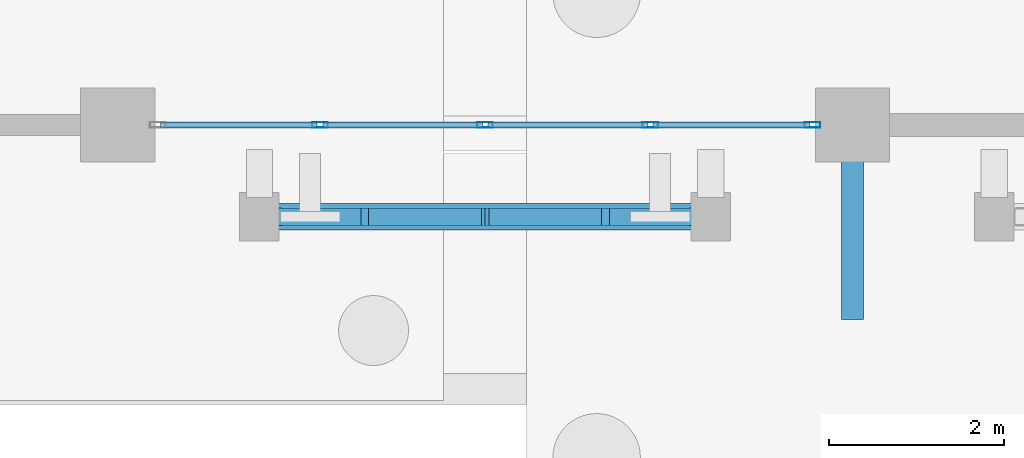
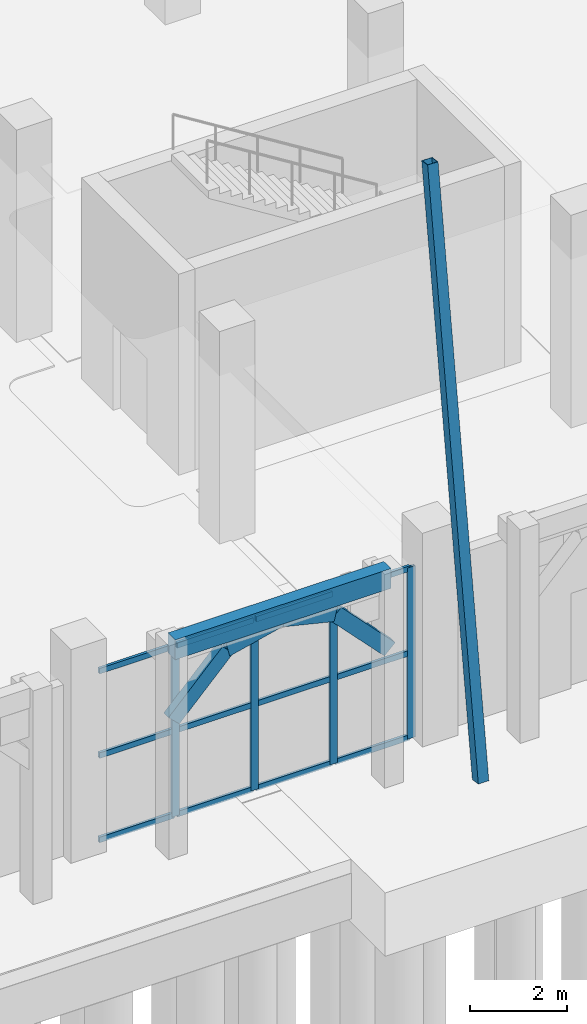
# One storey, part 13 of 98: 21 members, 1 beam, 1 element without a shape of its own.
"""IFC4 building model written with IfcOpenShell, lengths in metres."""

from ifc_helpers import new_model, si_unit, direction, frame, origin, origin_2d, place, context, subcontext, project, spatial, rectangle, hollow_rectangle, extrude, material, layer, layer_set, material_profile, profile_set, type_object, element, aggregate, save


model = new_model("IFC4")

# Units and contexts
model_context = context("Model", 3, precision=1e-05, world=origin(), true_north=direction((0.0, 1.0)))
body_context = subcontext(model_context, "Body", "Model", "MODEL_VIEW")
ifc_project = project(units=[si_unit("LENGTHUNIT", "METRE"), si_unit("AREAUNIT", "SQUARE_METRE"), si_unit("VOLUMEUNIT", "CUBIC_METRE"), si_unit("PLANEANGLEUNIT", "RADIAN"), si_unit("MASSUNIT", "GRAM", prefix="KILO")], contexts=[model_context])

# Site, building, storey
site_placement = place(None, origin())
site = spatial("IfcSite", under=ifc_project, at=site_placement, CompositionType="ELEMENT")
building_placement = place(site_placement, origin())
building = spatial("IfcBuilding", under=site, at=building_placement, Name="Xazarin Passage Department Store", CompositionType="ELEMENT")
storey_placement = place(building_placement, origin())
storey = spatial("IfcBuildingStorey", under=building, at=storey_placement, Name="L00", CompositionType="ELEMENT", Elevation=0.0)

# Curtain wall, members
ifc_material_1 = material(Name="Bronze anodised aluminium", Category="aluminium")
ifc_layer = layer(ifc_material_1, 0.18994140625)
ifc_layer_set = layer_set([ifc_layer], Name="Bronze anodised aluminium")
curtain_wall_type = type_object("IfcCurtainWallType", Name="ARC-CW-FDH1", PredefinedType="NOTDEFINED", material=ifc_layer_set)
curtain_wall_placement = place(storey_placement, origin())
curtain_wall = element("IfcCurtainWall", 1, at=curtain_wall_placement, inside=storey, type_object=curtain_wall_type, Name="L00 V3 Curtain Wall 118", PredefinedType="NOTDEFINED")
ifc_material_profile_1 = material_profile(ifc_material_1, hollow_rectangle(XDim=0.06494140625, YDim=0.179931640625, WallThickness=0.00390625, at=origin_2d()), Name="ALU 65x180")
ifc_profile_set_1 = profile_set([ifc_material_profile_1], Name="Bronze anodised aluminium")
member_type_1 = type_object("IfcMemberType", Name="ARC-CWM-65x180", PredefinedType="MULLION", material=ifc_profile_set_1)
member_1_placement = place(storey_placement, frame((19.112548828125, 0.0, 0.0), z_axis=(0.0, 0.0, 1.0), x_axis=(0.0, 1.0, 0.0)))
member_1 = element("IfcMember", 2, at=member_1_placement, type_object=member_type_1, Name="CW5 mullion 2", PredefinedType="MULLION", context=body_context, shape_type="SweptSolid", body=[
    extrude(hollow_rectangle(XDim=0.06494140625, YDim=0.179931640625, WallThickness=0.00390625, at=origin_2d()), origin(), (0.0, 0.0, 1.0), 4.330078125),
])
member_2_placement = place(storey_placement, frame((21.0, 0.0, 0.0), z_axis=(0.0, 0.0, 1.0), x_axis=(0.0, 1.0, 0.0)))
member_2 = element("IfcMember", 3, at=member_2_placement, type_object=member_type_1, Name="CW5 mullion 3", PredefinedType="MULLION", context=body_context, shape_type="SweptSolid", body=[
    extrude(hollow_rectangle(XDim=0.06494140625, YDim=0.179931640625, WallThickness=0.00390625, at=origin_2d()), origin(), (0.0, 0.0, 1.0), 4.330078125),
])
member_3_placement = place(storey_placement, frame((22.887451171875, 0.0, 0.0), z_axis=(0.0, 0.0, 1.0), x_axis=(0.0, 1.0, 0.0)))
member_3 = element("IfcMember", 4, at=member_3_placement, type_object=member_type_1, Name="CW5 mullion 4", PredefinedType="MULLION", context=body_context, shape_type="SweptSolid", body=[
    extrude(hollow_rectangle(XDim=0.06494140625, YDim=0.179931640625, WallThickness=0.00390625, at=origin_2d()), origin(), (0.0, 0.0, 1.0), 4.330078125),
])
member_4_placement = place(storey_placement, frame((24.742431640625, 0.0, 0.0), z_axis=(0.0, 0.0, 1.0), x_axis=(0.0, 1.0, 0.0)))
member_4 = element("IfcMember", 5, at=member_4_placement, type_object=member_type_1, Name="CW5 mullion 5", PredefinedType="MULLION", context=body_context, shape_type="SweptSolid", body=[
    extrude(hollow_rectangle(XDim=0.06494140625, YDim=0.179931640625, WallThickness=0.00390625, at=origin_2d()), origin(), (0.0, 0.0, 1.0), 4.330078125),
])
ifc_material_profile_2 = material_profile(ifc_material_1, hollow_rectangle(XDim=0.06494140625, YDim=0.139892578125, WallThickness=0.00390625, at=origin_2d()), Name="ALU 65x140")
ifc_profile_set_2 = profile_set([ifc_material_profile_2], Name="Bronze anodised aluminium")
member_type_2 = type_object("IfcMemberType", Name="ARC-CWT-65x140", PredefinedType="USERDEFINED", material=ifc_profile_set_2)
member_5_placement = place(storey_placement, frame((17.2900390625, 0.0, 0.032470703125), z_axis=(1.0, 0.0, 0.0), x_axis=(0.0, 1.0, 0.0)))
member_5 = element("IfcMember", 6, at=member_5_placement, type_object=member_type_2, Name="CW5 transom 1.1", ObjectType="TRANSOM", PredefinedType="USERDEFINED", context=body_context, shape_type="SweptSolid", body=[
    extrude(hollow_rectangle(XDim=0.06494140625, YDim=0.139892578125, WallThickness=0.00390625, at=origin_2d()), origin(), (0.0, 0.0, 1.0), 1.7900390625),
])
member_6_placement = place(storey_placement, frame((17.2900390625, 0.0, 2.1650390625), z_axis=(1.0, 0.0, 0.0), x_axis=(0.0, 1.0, 0.0)))
member_6 = element("IfcMember", 7, at=member_6_placement, type_object=member_type_2, Name="CW5 transom 1.2", ObjectType="TRANSOM", PredefinedType="USERDEFINED", context=body_context, shape_type="SweptSolid", body=[
    extrude(hollow_rectangle(XDim=0.06494140625, YDim=0.139892578125, WallThickness=0.00390625, at=origin_2d()), origin(), (0.0, 0.0, 1.0), 1.7900390625),
])
member_7_placement = place(storey_placement, frame((17.2900390625, 0.0, 4.297607421875), z_axis=(1.0, 0.0, 0.0), x_axis=(0.0, 1.0, 0.0)))
member_7 = element("IfcMember", 8, at=member_7_placement, type_object=member_type_2, Name="CW5 transom 1.3", ObjectType="TRANSOM", PredefinedType="USERDEFINED", context=body_context, shape_type="SweptSolid", body=[
    extrude(hollow_rectangle(XDim=0.06494140625, YDim=0.139892578125, WallThickness=0.00390625, at=origin_2d()), origin(), (0.0, 0.0, 1.0), 1.7900390625),
])
member_8_placement = place(storey_placement, frame((19.14501953125, 0.0, 0.032470703125), z_axis=(1.0, 0.0, 0.0), x_axis=(0.0, 1.0, 0.0)))
member_8 = element("IfcMember", 9, at=member_8_placement, type_object=member_type_2, Name="CW5 transom 2.1", ObjectType="TRANSOM", PredefinedType="USERDEFINED", context=body_context, shape_type="SweptSolid", body=[
    extrude(hollow_rectangle(XDim=0.06494140625, YDim=0.139892578125, WallThickness=0.00390625, at=origin_2d()), origin(), (0.0, 0.0, 1.0), 1.822509765625),
])
member_9_placement = place(storey_placement, frame((19.14501953125, 0.0, 2.1650390625), z_axis=(1.0, 0.0, 0.0), x_axis=(0.0, 1.0, 0.0)))
member_9 = element("IfcMember", 10, at=member_9_placement, type_object=member_type_2, Name="CW5 transom 2.2", ObjectType="TRANSOM", PredefinedType="USERDEFINED", context=body_context, shape_type="SweptSolid", body=[
    extrude(hollow_rectangle(XDim=0.06494140625, YDim=0.139892578125, WallThickness=0.00390625, at=origin_2d()), origin(), (0.0, 0.0, 1.0), 1.822509765625),
])
member_10_placement = place(storey_placement, frame((19.14501953125, 0.0, 4.297607421875), z_axis=(1.0, 0.0, 0.0), x_axis=(0.0, 1.0, 0.0)))
member_10 = element("IfcMember", 11, at=member_10_placement, type_object=member_type_2, Name="CW5 transom 2.3", ObjectType="TRANSOM", PredefinedType="USERDEFINED", context=body_context, shape_type="SweptSolid", body=[
    extrude(hollow_rectangle(XDim=0.06494140625, YDim=0.139892578125, WallThickness=0.00390625, at=origin_2d()), origin(), (0.0, 0.0, 1.0), 1.822509765625),
])
member_11_placement = place(storey_placement, frame((21.032470703125, 0.0, 0.032470703125), z_axis=(1.0, 0.0, 0.0), x_axis=(0.0, 1.0, 0.0)))
member_11 = element("IfcMember", 12, at=member_11_placement, type_object=member_type_2, Name="CW5 transom 3.1", ObjectType="TRANSOM", PredefinedType="USERDEFINED", context=body_context, shape_type="SweptSolid", body=[
    extrude(hollow_rectangle(XDim=0.06494140625, YDim=0.139892578125, WallThickness=0.00390625, at=origin_2d()), origin(), (0.0, 0.0, 1.0), 1.822509765625),
])
member_12_placement = place(storey_placement, frame((21.032470703125, 0.0, 2.1650390625), z_axis=(1.0, 0.0, 0.0), x_axis=(0.0, 1.0, 0.0)))
member_12 = element("IfcMember", 13, at=member_12_placement, type_object=member_type_2, Name="CW5 transom 3.2", ObjectType="TRANSOM", PredefinedType="USERDEFINED", context=body_context, shape_type="SweptSolid", body=[
    extrude(hollow_rectangle(XDim=0.06494140625, YDim=0.139892578125, WallThickness=0.00390625, at=origin_2d()), origin(), (0.0, 0.0, 1.0), 1.822509765625),
])
member_13_placement = place(storey_placement, frame((21.032470703125, 0.0, 4.297607421875), z_axis=(1.0, 0.0, 0.0), x_axis=(0.0, 1.0, 0.0)))
member_13 = element("IfcMember", 14, at=member_13_placement, type_object=member_type_2, Name="CW5 transom 3.3", ObjectType="TRANSOM", PredefinedType="USERDEFINED", context=body_context, shape_type="SweptSolid", body=[
    extrude(hollow_rectangle(XDim=0.06494140625, YDim=0.139892578125, WallThickness=0.00390625, at=origin_2d()), origin(), (0.0, 0.0, 1.0), 1.822509765625),
])
member_14_placement = place(storey_placement, frame((22.919921875, 0.0, 0.032470703125), z_axis=(1.0, 0.0, 0.0), x_axis=(0.0, 1.0, 0.0)))
member_14 = element("IfcMember", 15, at=member_14_placement, type_object=member_type_2, Name="CW5 transom 4.1", ObjectType="TRANSOM", PredefinedType="USERDEFINED", context=body_context, shape_type="SweptSolid", body=[
    extrude(hollow_rectangle(XDim=0.06494140625, YDim=0.139892578125, WallThickness=0.00390625, at=origin_2d()), origin(), (0.0, 0.0, 1.0), 1.7900390625),
])
member_15_placement = place(storey_placement, frame((22.919921875, 0.0, 2.1650390625), z_axis=(1.0, 0.0, 0.0), x_axis=(0.0, 1.0, 0.0)))
member_15 = element("IfcMember", 16, at=member_15_placement, type_object=member_type_2, Name="CW5 transom 4.2", ObjectType="TRANSOM", PredefinedType="USERDEFINED", context=body_context, shape_type="SweptSolid", body=[
    extrude(hollow_rectangle(XDim=0.06494140625, YDim=0.139892578125, WallThickness=0.00390625, at=origin_2d()), origin(), (0.0, 0.0, 1.0), 1.7900390625),
])
member_16_placement = place(storey_placement, frame((22.919921875, 0.0, 4.297607421875), z_axis=(1.0, 0.0, 0.0), x_axis=(0.0, 1.0, 0.0)))
member_16 = element("IfcMember", 17, at=member_16_placement, type_object=member_type_2, Name="CW5 transom 4.3", ObjectType="TRANSOM", PredefinedType="USERDEFINED", context=body_context, shape_type="SweptSolid", body=[
    extrude(hollow_rectangle(XDim=0.06494140625, YDim=0.139892578125, WallThickness=0.00390625, at=origin_2d()), origin(), (0.0, 0.0, 1.0), 1.7900390625),
])
aggregate(curtain_wall, [member_1, member_2, member_3, member_4, member_5, member_6, member_7, member_8, member_9, member_10, member_11, member_12, member_13, member_14, member_15, member_16])

# Beam
ifc_material_2 = material(Name="Concrete C35/45", Category="concrete")
ifc_material_profile_3 = material_profile(ifc_material_2, rectangle(XDim=0.300048828125, YDim=0.5, at=origin_2d()), Name="RC 300x500")
ifc_profile_set_3 = profile_set([ifc_material_profile_3], Name="Concrete C35/45")
beam_type = type_object("IfcBeamType", Name="STR-BM-LN300x500", PredefinedType="LINTEL", material=ifc_profile_set_3)
beam_placement = place(storey_placement, frame((18.419921875, -1.050048828125, 5.14990234375), z_axis=(1.0, 0.0, 0.0), x_axis=(0.0, 1.0, 0.0)))
element("IfcBeam", 18, at=beam_placement, inside=storey, type_object=beam_type, Name="L00 V3 Colonnade Spandrel Beam 028", PredefinedType="LINTEL", context=body_context, shape_type="SweptSolid", body=[
    extrude(rectangle(XDim=0.300048828125, YDim=0.5, at=origin_2d()), origin(), (0.0, 0.0, 1.0), 5.16015625),
])

# Members
ifc_material_3 = material(Name="Concrete C40/50", Category="concrete")
ifc_material_profile_4 = material_profile(ifc_material_3, rectangle(XDim=0.199951171875, YDim=0.360107421875, at=origin_2d()), Name="RC 200x360")
ifc_profile_set_4 = profile_set([ifc_material_profile_4], Name="Concrete C40/50")
member_type_3 = type_object("IfcMemberType", Name="STR-MEM-ARC360", PredefinedType="CHORD", material=ifc_profile_set_4)
member_17_placement = place(storey_placement, frame((18.419921875, -1.050048828125, 3.330078125), z_axis=(0.693460080602, 0.0, 0.720495049679), x_axis=(0.0, 1.0, 0.0)))
element("IfcMember", 19, at=member_17_placement, inside=storey, type_object=member_type_3, Name="L00 V3 Pierced Lattice Curved Arch 028.1", PredefinedType="CHORD", context=body_context, shape_type="SweptSolid", body=[
    extrude(rectangle(XDim=0.199951171875, YDim=0.360107421875, at=origin_2d()), origin(), (0.0, 0.0, 1.0), 1.8603515625),
])
for number, where, z_axis, x_axis, name in (
    (20, (19.7099609375, -1.050048828125, 4.67041015625), (0.972393983317, 0.0, 0.233345111818), (0.0, 1.0, 0.0), "L00 V3 Pierced Lattice Curved Arch 028.2"),
    (21, (21.0, -1.050048828125, 4.97998046875), (0.972393983317, 0.0, -0.233345111818), (0.0, 1.0, 0.0), "L00 V3 Pierced Lattice Curved Arch 028.3"),
):
    element("IfcMember", number, at=place(storey_placement, frame(where, z_axis=z_axis, x_axis=x_axis)), inside=storey, type_object=member_type_3, Name=name, PredefinedType="CHORD", context=body_context, shape_type="SweptSolid", body=[
        extrude(rectangle(XDim=0.199951171875, YDim=0.360107421875, at=origin_2d()), origin(), (0.0, 0.0, 1.0), 1.32666015625),
    ])
member_18_placement = place(storey_placement, frame((22.2900390625, -1.050048828125, 4.67041015625), z_axis=(0.693460080602, 0.0, -0.720495049679), x_axis=(0.0, 1.0, 0.0)))
element("IfcMember", 22, at=member_18_placement, inside=storey, type_object=member_type_3, Name="L00 V3 Pierced Lattice Curved Arch 028.4", PredefinedType="CHORD", context=body_context, shape_type="SweptSolid", body=[
    extrude(rectangle(XDim=0.199951171875, YDim=0.360107421875, at=origin_2d()), origin(), (0.0, 0.0, 1.0), 1.8603515625),
])
ifc_material_4 = material(Name="Steel S355", Category="steel")
ifc_material_profile_5 = material_profile(ifc_material_4, hollow_rectangle(XDim=0.25, YDim=0.25, WallThickness=0.012451171875, at=origin_2d()), Name="SHS 250x250x12.5")
ifc_profile_set_5 = profile_set([ifc_material_profile_5], Name="Steel S355")
member_type_4 = type_object("IfcMemberType", Name="STR-MEM-SHS250", PredefinedType="BRACE", material=ifc_profile_set_5)
member_19_placement = place(storey_placement, frame((25.199951171875, -2.10009765625, 0.030029296875), z_axis=(0.0, 0.144609701748, 0.989488774146), x_axis=(-1.0, 0.0, 0.0)))
element("IfcMember", 23, at=member_19_placement, inside=storey, type_object=member_type_4, Name="Sculpted Raked Concrete Buttress BUT-V3-S1", PredefinedType="BRACE", context=body_context, shape_type="SweptSolid", body=[
    extrude(hollow_rectangle(XDim=0.25, YDim=0.25, WallThickness=0.012451171875, at=origin_2d()), origin(), (0.0, 0.0, 1.0), 14.5224609375),
])

save(model, "model.ifc")
